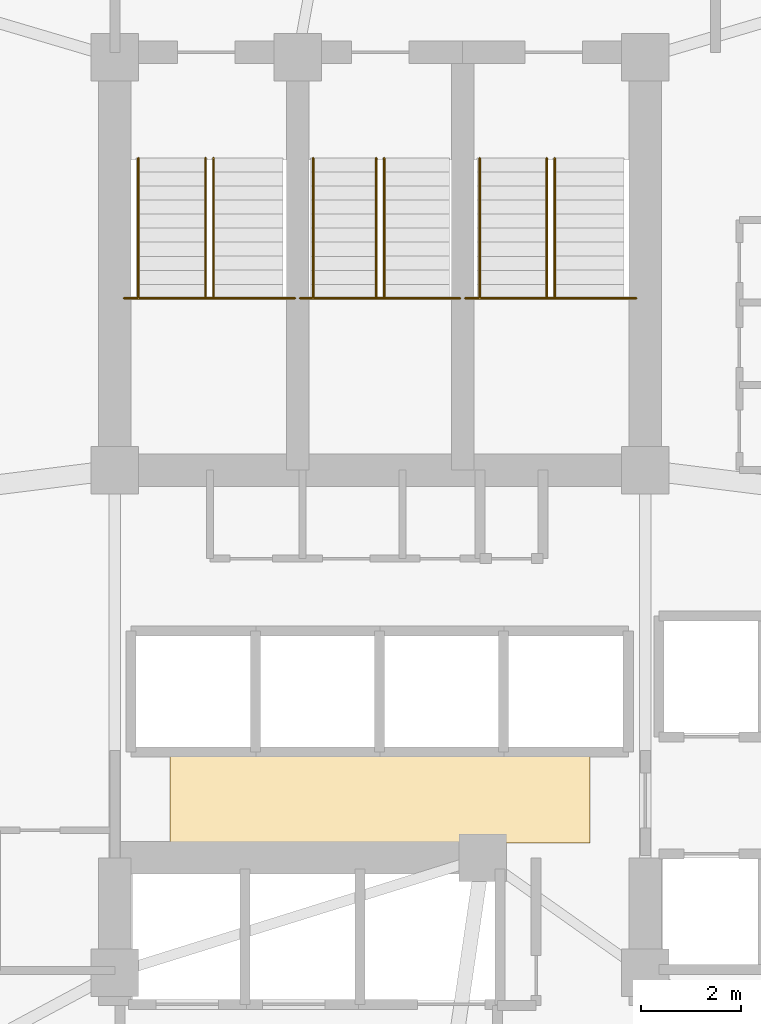
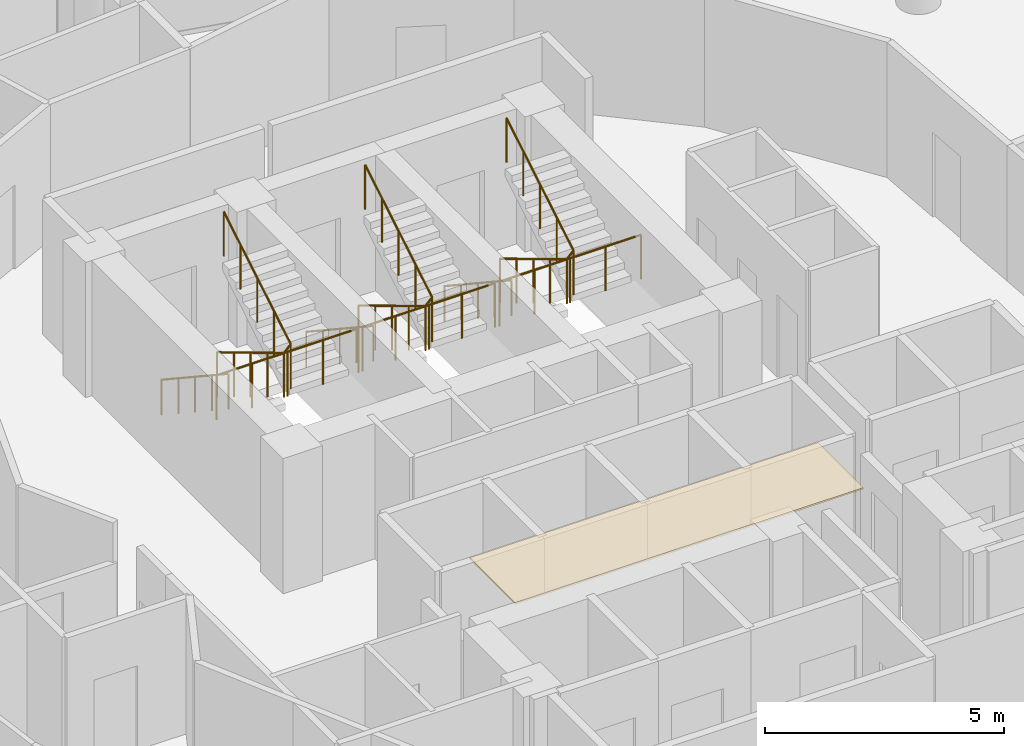
# One storey, part 26 of 26: 9 railings, 1 covering.
"""IFC4 building model written with IfcOpenShell, lengths in metres."""

from ifc_helpers import new_model, si_unit, direction, frame, origin, place, context, subcontext, project, spatial, polyline, outline, extrude, material, layer, layer_set, type_object, element, save


model = new_model("IFC4")

# Units and contexts
model_context = context("Model", 3, precision=1e-05, world=origin(), true_north=direction((0.0, 1.0)))
body_context = subcontext(model_context, "Body", "Model", "MODEL_VIEW")
ifc_project = project(units=[si_unit("LENGTHUNIT", "METRE"), si_unit("AREAUNIT", "SQUARE_METRE"), si_unit("VOLUMEUNIT", "CUBIC_METRE"), si_unit("PLANEANGLEUNIT", "RADIAN"), si_unit("MASSUNIT", "GRAM", prefix="KILO")], contexts=[model_context])

# Site, building, storey
site_placement = place(None, origin())
site = spatial("IfcSite", under=ifc_project, at=site_placement, CompositionType="ELEMENT")
building_placement = place(site_placement, origin())
building = spatial("IfcBuilding", under=site, at=building_placement, Name="Nuhasar Tower", CompositionType="ELEMENT")
storey_placement = place(building_placement, frame((0.0, 0.0, 129.35009765625)))
storey = spatial("IfcBuildingStorey", under=building, at=storey_placement, Name="L30", CompositionType="ELEMENT", Elevation=129.35009765625)

# Covering
ifc_material_1 = material(Name="Mineral Fibre Acoustic", Category="insulation")
ifc_layer = layer(ifc_material_1, 0.0400390625)
ifc_layer_set = layer_set([ifc_layer], Name="Mineral Fibre Acoustic")
covering_type = type_object("IfcCoveringType", Name="COV-CEIL-AC60", PredefinedType="CEILING", material=ifc_layer_set)
covering_placement = place(storey_placement, frame((0.0, 0.0, 3.409912109375)))
element("IfcCovering", 1, at=covering_placement, inside=storey, type_object=covering_type, Name="L30 Lift Lobby Acoustic Ceiling", PredefinedType="CEILING", context=body_context, shape_type="SweptSolid", body=[
    extrude(outline(polyline([(34.800048828125, 21.60009765625), (43.199951171875, 21.60009765625), (43.199951171875, 23.5), (34.800048828125, 23.5), (34.800048828125, 21.60009765625)])), origin(), (0.0, 0.0, 1.0), 0.0400390625),
])

# Railings
ifc_material_2 = material(Name="Steel S355", Category="steel")
railing_type_1 = type_object("IfcRailingType", Name="RLG-STAIR-GUARD-1150", PredefinedType="GUARDRAIL", material=ifc_material_2)
railing_1_placement = place(storey_placement, frame((33.8798828125, 32.485107421875, 1.849853515625)))
element("IfcRailing", 2, at=railing_1_placement, inside=storey, type_object=railing_type_1, Name="L30 Stair ST-01 Guardrail LND", PredefinedType="GUARDRAIL", context=body_context, shape_type="SweptSolid", body=[
    extrude(outline(polyline([(0.024169921875, 0.0), (0.01708984375, 0.01708984375), (0.0, 0.024169921875), (-0.01708984375, 0.01708984375), (-0.024169921875, 0.0), (-0.01708984375, -0.01708984375), (0.0, -0.024169921875), (0.01708984375, -0.01708984375), (0.024169921875, 0.0)])), frame((0.0, 0.0, 1.1259765625), z_axis=(1.0, 0.0, 0.0), x_axis=(0.0, 1.0, 0.0)), (0.0, 0.0, 1.0), 3.420166015625),
    extrude(outline(polyline([(0.02099609375, 0.0), (0.014892578125, 0.014892578125), (0.0, 0.02099609375), (-0.014892578125, 0.014892578125), (-0.02099609375, 0.0), (-0.014892578125, -0.014892578125), (0.0, -0.02099609375), (0.014892578125, -0.014892578125), (0.02099609375, 0.0)])), origin(), (0.0, 0.0, 1.0), 1.101806640625),
    extrude(outline(polyline([(0.02099609375, 0.0), (0.014892578125, 0.014892578125), (0.0, 0.02099609375), (-0.014892578125, 0.014892578125), (-0.02099609375, 0.0), (-0.014892578125, -0.014892578125), (0.0, -0.02099609375), (0.014892578125, -0.014892578125), (0.02099609375, 0.0)])), frame((0.85498046875, 0.0, 0.0)), (0.0, 0.0, 1.0), 1.101806640625),
    extrude(outline(polyline([(0.02099609375, 0.0), (0.014892578125, 0.014892578125), (0.0, 0.02099609375), (-0.014892578125, 0.014892578125), (-0.02099609375, 0.0), (-0.014892578125, -0.014892578125), (0.0, -0.02099609375), (0.014892578125, -0.014892578125), (0.02099609375, 0.0)])), frame((1.7099609375, 0.0, 0.0)), (0.0, 0.0, 1.0), 1.101806640625),
    extrude(outline(polyline([(0.02099609375, 0.0), (0.014892578125, 0.014892578125), (0.0, 0.02099609375), (-0.014892578125, 0.014892578125), (-0.02099609375, 0.0), (-0.014892578125, -0.014892578125), (0.0, -0.02099609375), (0.014892578125, -0.014892578125), (0.02099609375, 0.0)])), frame((2.565185546875, 0.0, 0.0)), (0.0, 0.0, 1.0), 1.101806640625),
    extrude(outline(polyline([(0.02099609375, 0.0), (0.014892578125, 0.014892578125), (0.0, 0.02099609375), (-0.014892578125, 0.014892578125), (-0.02099609375, 0.0), (-0.014892578125, -0.014892578125), (0.0, -0.02099609375), (0.014892578125, -0.014892578125), (0.02099609375, 0.0)])), frame((3.420166015625, 0.0, 0.0)), (0.0, 0.0, 1.0), 1.101806640625),
])
railing_2_placement = place(storey_placement, frame((35.510009765625, 35.284912109375, 0.16796875)))
element("IfcRailing", 3, at=railing_2_placement, inside=storey, type_object=railing_type_1, Name="L30 Stair ST-01 Guardrail SLT", PredefinedType="GUARDRAIL", context=body_context, shape_type="SweptSolid", body=[
    extrude(outline(polyline([(0.024169921875, 0.0), (0.01708984375, 0.01708984375), (0.0, 0.024169921875), (-0.01708984375, 0.01708984375), (-0.024169921875, 0.0), (-0.01708984375, -0.01708984375), (0.0, -0.024169921875), (0.01708984375, -0.01708984375), (0.024169921875, 0.0)])), frame((0.0, 0.0, 1.1259765625), z_axis=(0.0, -0.857222391501, 0.514946377315), x_axis=(1.0, 0.0, 0.0)), (0.0, 0.0, 1.0), 3.26611328125),
    extrude(outline(polyline([(0.024169921875, 0.0), (0.01708984375, 0.01708984375), (0.0, 0.024169921875), (-0.01708984375, 0.01708984375), (-0.024169921875, 0.0), (-0.01708984375, -0.01708984375), (0.0, -0.024169921875), (0.01708984375, -0.01708984375), (0.024169921875, 0.0)])), frame((0.0, -2.7998046875, 2.8076171875), z_axis=(0.689523729023, 0.0, 0.72426309247), x_axis=(0.0, 1.0, 0.0)), (0.0, 0.0, 1.0), 0.23193359375),
    extrude(outline(polyline([(0.024169921875, 0.0), (0.01708984375, 0.01708984375), (0.0, 0.024169921875), (-0.01708984375, 0.01708984375), (-0.024169921875, 0.0), (-0.01708984375, -0.01708984375), (0.0, -0.024169921875), (0.01708984375, -0.01708984375), (0.024169921875, 0.0)])), frame((0.159912109375, -2.7998046875, 2.9755859375), z_axis=(0.0, 0.857189395008, 0.515001302023), x_axis=(-1.0, 0.0, 0.0)), (0.0, 0.0, 1.0), 3.266357421875),
    extrude(outline(polyline([(0.02099609375, 0.0), (0.014892578125, 0.014892578125), (0.0, 0.02099609375), (-0.014892578125, 0.014892578125), (-0.02099609375, 0.0), (-0.014892578125, -0.014892578125), (0.0, -0.02099609375), (0.014892578125, -0.014892578125), (0.02099609375, 0.0)])), origin(), (0.0, 0.0, 1.0), 1.101806640625),
    extrude(outline(polyline([(0.02099609375, 0.0), (0.014892578125, 0.014892578125), (0.0, 0.02099609375), (-0.014892578125, 0.014892578125), (-0.02099609375, 0.0), (-0.014892578125, -0.014892578125), (0.0, -0.02099609375), (0.014892578125, -0.014892578125), (0.02099609375, 0.0)])), frame((0.0, -0.699951171875, 0.42041015625)), (0.0, 0.0, 1.0), 1.101806640625),
    extrude(outline(polyline([(0.02099609375, 0.0), (0.014892578125, 0.014892578125), (0.0, 0.02099609375), (-0.014892578125, 0.014892578125), (-0.02099609375, 0.0), (-0.014892578125, -0.014892578125), (0.0, -0.02099609375), (0.014892578125, -0.014892578125), (0.02099609375, 0.0)])), frame((0.0, -1.39990234375, 0.8408203125)), (0.0, 0.0, 1.0), 1.101806640625),
    extrude(outline(polyline([(0.02099609375, 0.0), (0.014892578125, 0.014892578125), (0.0, 0.02099609375), (-0.014892578125, 0.014892578125), (-0.02099609375, 0.0), (-0.014892578125, -0.014892578125), (0.0, -0.02099609375), (0.014892578125, -0.014892578125), (0.02099609375, 0.0)])), frame((0.0, -2.099853515625, 1.261474609375)), (0.0, 0.0, 1.0), 1.101806640625),
    extrude(outline(polyline([(0.02099609375, 0.0), (0.014892578125, 0.014892578125), (0.0, 0.02099609375), (-0.014892578125, 0.014892578125), (-0.02099609375, 0.0), (-0.014892578125, -0.014892578125), (0.0, -0.02099609375), (0.014892578125, -0.014892578125), (0.02099609375, 0.0)])), frame((0.0, -2.7998046875, 1.681884765625)), (0.0, 0.0, 1.0), 1.101806640625),
    extrude(outline(polyline([(0.02099609375, 0.0), (0.014892578125, 0.014892578125), (0.0, 0.02099609375), (-0.014892578125, 0.014892578125), (-0.02099609375, 0.0), (-0.014892578125, -0.014892578125), (0.0, -0.02099609375), (0.014892578125, -0.014892578125), (0.02099609375, 0.0)])), frame((0.159912109375, -2.7998046875, 1.849853515625)), (0.0, 0.0, 1.0), 1.101806640625),
    extrude(outline(polyline([(0.02099609375, 0.0), (0.014892578125, 0.014892578125), (0.0, 0.02099609375), (-0.014892578125, 0.014892578125), (-0.02099609375, 0.0), (-0.014892578125, -0.014892578125), (0.0, -0.02099609375), (0.014892578125, -0.014892578125), (0.02099609375, 0.0)])), frame((0.159912109375, -2.099853515625, 2.2705078125)), (0.0, 0.0, 1.0), 1.101806640625),
    extrude(outline(polyline([(0.02099609375, 0.0), (0.014892578125, 0.014892578125), (0.0, 0.02099609375), (-0.014892578125, 0.014892578125), (-0.02099609375, 0.0), (-0.014892578125, -0.014892578125), (0.0, -0.02099609375), (0.014892578125, -0.014892578125), (0.02099609375, 0.0)])), frame((0.159912109375, -1.39990234375, 2.69091796875)), (0.0, 0.0, 1.0), 1.101806640625),
    extrude(outline(polyline([(0.02099609375, 0.0), (0.014892578125, 0.014892578125), (0.0, 0.02099609375), (-0.014892578125, 0.014892578125), (-0.02099609375, 0.0), (-0.014892578125, -0.014892578125), (0.0, -0.02099609375), (0.014892578125, -0.014892578125), (0.02099609375, 0.0)])), frame((0.159912109375, -0.699951171875, 3.111328125)), (0.0, 0.0, 1.0), 1.101806640625),
    extrude(outline(polyline([(0.02099609375, 0.0), (0.014892578125, 0.014892578125), (0.0, 0.02099609375), (-0.014892578125, 0.014892578125), (-0.02099609375, 0.0), (-0.014892578125, -0.014892578125), (0.0, -0.02099609375), (0.014892578125, -0.014892578125), (0.02099609375, 0.0)])), frame((0.159912109375, 0.0, 3.531982421875)), (0.0, 0.0, 1.0), 1.101806640625),
])
railing_3_placement = place(storey_placement, frame((37.39990234375, 32.485107421875, 1.849853515625)))
element("IfcRailing", 4, at=railing_3_placement, inside=storey, type_object=railing_type_1, Name="L30 Stair ST-03 Guardrail LND", PredefinedType="GUARDRAIL", context=body_context, shape_type="SweptSolid", body=[
    extrude(outline(polyline([(0.024169921875, 0.0), (0.01708984375, 0.01708984375), (0.0, 0.024169921875), (-0.01708984375, 0.01708984375), (-0.024169921875, 0.0), (-0.01708984375, -0.01708984375), (0.0, -0.024169921875), (0.01708984375, -0.01708984375), (0.024169921875, 0.0)])), frame((0.0, 0.0, 1.1259765625), z_axis=(1.0, 0.0, 0.0), x_axis=(0.0, 1.0, 0.0)), (0.0, 0.0, 1.0), 3.2001953125),
    extrude(outline(polyline([(0.02099609375, 0.0), (0.014892578125, 0.014892578125), (0.0, 0.02099609375), (-0.014892578125, 0.014892578125), (-0.02099609375, 0.0), (-0.014892578125, -0.014892578125), (0.0, -0.02099609375), (0.014892578125, -0.014892578125), (0.02099609375, 0.0)])), origin(), (0.0, 0.0, 1.0), 1.101806640625),
    extrude(outline(polyline([(0.02099609375, 0.0), (0.014892578125, 0.014892578125), (0.0, 0.02099609375), (-0.014892578125, 0.014892578125), (-0.02099609375, 0.0), (-0.014892578125, -0.014892578125), (0.0, -0.02099609375), (0.014892578125, -0.014892578125), (0.02099609375, 0.0)])), frame((0.800048828125, 0.0, 0.0)), (0.0, 0.0, 1.0), 1.101806640625),
    extrude(outline(polyline([(0.02099609375, 0.0), (0.014892578125, 0.014892578125), (0.0, 0.02099609375), (-0.014892578125, 0.014892578125), (-0.02099609375, 0.0), (-0.014892578125, -0.014892578125), (0.0, -0.02099609375), (0.014892578125, -0.014892578125), (0.02099609375, 0.0)])), frame((1.60009765625, 0.0, 0.0)), (0.0, 0.0, 1.0), 1.101806640625),
    extrude(outline(polyline([(0.02099609375, 0.0), (0.014892578125, 0.014892578125), (0.0, 0.02099609375), (-0.014892578125, 0.014892578125), (-0.02099609375, 0.0), (-0.014892578125, -0.014892578125), (0.0, -0.02099609375), (0.014892578125, -0.014892578125), (0.02099609375, 0.0)])), frame((2.400146484375, 0.0, 0.0)), (0.0, 0.0, 1.0), 1.101806640625),
    extrude(outline(polyline([(0.02099609375, 0.0), (0.014892578125, 0.014892578125), (0.0, 0.02099609375), (-0.014892578125, 0.014892578125), (-0.02099609375, 0.0), (-0.014892578125, -0.014892578125), (0.0, -0.02099609375), (0.014892578125, -0.014892578125), (0.02099609375, 0.0)])), frame((3.2001953125, 0.0, 0.0)), (0.0, 0.0, 1.0), 1.101806640625),
])
railing_4_placement = place(storey_placement, frame((38.919921875, 35.284912109375, 0.16796875)))
element("IfcRailing", 5, at=railing_4_placement, inside=storey, type_object=railing_type_1, Name="L30 Stair ST-03 Guardrail SLT", PredefinedType="GUARDRAIL", context=body_context, shape_type="SweptSolid", body=[
    extrude(outline(polyline([(0.024169921875, 0.0), (0.01708984375, 0.01708984375), (0.0, 0.024169921875), (-0.01708984375, 0.01708984375), (-0.024169921875, 0.0), (-0.01708984375, -0.01708984375), (0.0, -0.024169921875), (0.01708984375, -0.01708984375), (0.024169921875, 0.0)])), frame((0.0, 0.0, 1.1259765625), z_axis=(0.0, -0.857222391501, 0.514946377315), x_axis=(1.0, 0.0, 0.0)), (0.0, 0.0, 1.0), 3.26611328125),
    extrude(outline(polyline([(0.024169921875, 0.0), (0.01708984375, 0.01708984375), (0.0, 0.024169921875), (-0.01708984375, 0.01708984375), (-0.024169921875, 0.0), (-0.01708984375, -0.01708984375), (0.0, -0.024169921875), (0.01708984375, -0.01708984375), (0.024169921875, 0.0)])), frame((0.0, -2.7998046875, 2.8076171875), z_axis=(0.690075333573, 0.0, 0.723737544967), x_axis=(0.0, 1.0, 0.0)), (0.0, 0.0, 1.0), 0.232177734375),
    extrude(outline(polyline([(0.024169921875, 0.0), (0.01708984375, 0.01708984375), (0.0, 0.024169921875), (-0.01708984375, 0.01708984375), (-0.024169921875, 0.0), (-0.01708984375, -0.01708984375), (0.0, -0.024169921875), (0.01708984375, -0.01708984375), (0.024169921875, 0.0)])), frame((0.16015625, -2.7998046875, 2.9755859375), z_axis=(0.0, 0.857189395008, 0.515001302023), x_axis=(-1.0, 0.0, 0.0)), (0.0, 0.0, 1.0), 3.266357421875),
    extrude(outline(polyline([(0.02099609375, 0.0), (0.014892578125, 0.014892578125), (0.0, 0.02099609375), (-0.014892578125, 0.014892578125), (-0.02099609375, 0.0), (-0.014892578125, -0.014892578125), (0.0, -0.02099609375), (0.014892578125, -0.014892578125), (0.02099609375, 0.0)])), origin(), (0.0, 0.0, 1.0), 1.101806640625),
    extrude(outline(polyline([(0.02099609375, 0.0), (0.014892578125, 0.014892578125), (0.0, 0.02099609375), (-0.014892578125, 0.014892578125), (-0.02099609375, 0.0), (-0.014892578125, -0.014892578125), (0.0, -0.02099609375), (0.014892578125, -0.014892578125), (0.02099609375, 0.0)])), frame((0.0, -0.699951171875, 0.42041015625)), (0.0, 0.0, 1.0), 1.101806640625),
    extrude(outline(polyline([(0.02099609375, 0.0), (0.014892578125, 0.014892578125), (0.0, 0.02099609375), (-0.014892578125, 0.014892578125), (-0.02099609375, 0.0), (-0.014892578125, -0.014892578125), (0.0, -0.02099609375), (0.014892578125, -0.014892578125), (0.02099609375, 0.0)])), frame((0.0, -1.39990234375, 0.8408203125)), (0.0, 0.0, 1.0), 1.101806640625),
    extrude(outline(polyline([(0.02099609375, 0.0), (0.014892578125, 0.014892578125), (0.0, 0.02099609375), (-0.014892578125, 0.014892578125), (-0.02099609375, 0.0), (-0.014892578125, -0.014892578125), (0.0, -0.02099609375), (0.014892578125, -0.014892578125), (0.02099609375, 0.0)])), frame((0.0, -2.099853515625, 1.261474609375)), (0.0, 0.0, 1.0), 1.101806640625),
    extrude(outline(polyline([(0.02099609375, 0.0), (0.014892578125, 0.014892578125), (0.0, 0.02099609375), (-0.014892578125, 0.014892578125), (-0.02099609375, 0.0), (-0.014892578125, -0.014892578125), (0.0, -0.02099609375), (0.014892578125, -0.014892578125), (0.02099609375, 0.0)])), frame((0.0, -2.7998046875, 1.681884765625)), (0.0, 0.0, 1.0), 1.101806640625),
    extrude(outline(polyline([(0.02099609375, 0.0), (0.014892578125, 0.014892578125), (0.0, 0.02099609375), (-0.014892578125, 0.014892578125), (-0.02099609375, 0.0), (-0.014892578125, -0.014892578125), (0.0, -0.02099609375), (0.014892578125, -0.014892578125), (0.02099609375, 0.0)])), frame((0.16015625, -2.7998046875, 1.849853515625)), (0.0, 0.0, 1.0), 1.101806640625),
    extrude(outline(polyline([(0.02099609375, 0.0), (0.014892578125, 0.014892578125), (0.0, 0.02099609375), (-0.014892578125, 0.014892578125), (-0.02099609375, 0.0), (-0.014892578125, -0.014892578125), (0.0, -0.02099609375), (0.014892578125, -0.014892578125), (0.02099609375, 0.0)])), frame((0.16015625, -2.099853515625, 2.2705078125)), (0.0, 0.0, 1.0), 1.101806640625),
    extrude(outline(polyline([(0.02099609375, 0.0), (0.014892578125, 0.014892578125), (0.0, 0.02099609375), (-0.014892578125, 0.014892578125), (-0.02099609375, 0.0), (-0.014892578125, -0.014892578125), (0.0, -0.02099609375), (0.014892578125, -0.014892578125), (0.02099609375, 0.0)])), frame((0.16015625, -1.39990234375, 2.69091796875)), (0.0, 0.0, 1.0), 1.101806640625),
    extrude(outline(polyline([(0.02099609375, 0.0), (0.014892578125, 0.014892578125), (0.0, 0.02099609375), (-0.014892578125, 0.014892578125), (-0.02099609375, 0.0), (-0.014892578125, -0.014892578125), (0.0, -0.02099609375), (0.014892578125, -0.014892578125), (0.02099609375, 0.0)])), frame((0.16015625, -0.699951171875, 3.111328125)), (0.0, 0.0, 1.0), 1.101806640625),
    extrude(outline(polyline([(0.02099609375, 0.0), (0.014892578125, 0.014892578125), (0.0, 0.02099609375), (-0.014892578125, 0.014892578125), (-0.02099609375, 0.0), (-0.014892578125, -0.014892578125), (0.0, -0.02099609375), (0.014892578125, -0.014892578125), (0.02099609375, 0.0)])), frame((0.16015625, 0.0, 3.531982421875)), (0.0, 0.0, 1.0), 1.101806640625),
])
railing_5_placement = place(storey_placement, frame((40.699951171875, 32.485107421875, 1.849853515625)))
element("IfcRailing", 6, at=railing_5_placement, inside=storey, type_object=railing_type_1, Name="L30 Stair ST-02 Guardrail LND", PredefinedType="GUARDRAIL", context=body_context, shape_type="SweptSolid", body=[
    extrude(outline(polyline([(0.024169921875, 0.0), (0.01708984375, 0.01708984375), (0.0, 0.024169921875), (-0.01708984375, 0.01708984375), (-0.024169921875, 0.0), (-0.01708984375, -0.01708984375), (0.0, -0.024169921875), (0.01708984375, -0.01708984375), (0.024169921875, 0.0)])), frame((0.0, 0.0, 1.1259765625), z_axis=(1.0, 0.0, 0.0), x_axis=(0.0, 1.0, 0.0)), (0.0, 0.0, 1.0), 3.420166015625),
    extrude(outline(polyline([(0.02099609375, 0.0), (0.014892578125, 0.014892578125), (0.0, 0.02099609375), (-0.014892578125, 0.014892578125), (-0.02099609375, 0.0), (-0.014892578125, -0.014892578125), (0.0, -0.02099609375), (0.014892578125, -0.014892578125), (0.02099609375, 0.0)])), origin(), (0.0, 0.0, 1.0), 1.101806640625),
    extrude(outline(polyline([(0.02099609375, 0.0), (0.014892578125, 0.014892578125), (0.0, 0.02099609375), (-0.014892578125, 0.014892578125), (-0.02099609375, 0.0), (-0.014892578125, -0.014892578125), (0.0, -0.02099609375), (0.014892578125, -0.014892578125), (0.02099609375, 0.0)])), frame((0.85498046875, 0.0, 0.0)), (0.0, 0.0, 1.0), 1.101806640625),
    extrude(outline(polyline([(0.02099609375, 0.0), (0.014892578125, 0.014892578125), (0.0, 0.02099609375), (-0.014892578125, 0.014892578125), (-0.02099609375, 0.0), (-0.014892578125, -0.014892578125), (0.0, -0.02099609375), (0.014892578125, -0.014892578125), (0.02099609375, 0.0)])), frame((1.7099609375, 0.0, 0.0)), (0.0, 0.0, 1.0), 1.101806640625),
    extrude(outline(polyline([(0.02099609375, 0.0), (0.014892578125, 0.014892578125), (0.0, 0.02099609375), (-0.014892578125, 0.014892578125), (-0.02099609375, 0.0), (-0.014892578125, -0.014892578125), (0.0, -0.02099609375), (0.014892578125, -0.014892578125), (0.02099609375, 0.0)])), frame((2.565185546875, 0.0, 0.0)), (0.0, 0.0, 1.0), 1.101806640625),
    extrude(outline(polyline([(0.02099609375, 0.0), (0.014892578125, 0.014892578125), (0.0, 0.02099609375), (-0.014892578125, 0.014892578125), (-0.02099609375, 0.0), (-0.014892578125, -0.014892578125), (0.0, -0.02099609375), (0.014892578125, -0.014892578125), (0.02099609375, 0.0)])), frame((3.420166015625, 0.0, 0.0)), (0.0, 0.0, 1.0), 1.101806640625),
])
railing_6_placement = place(storey_placement, frame((42.330078125, 35.284912109375, 0.16796875)))
element("IfcRailing", 7, at=railing_6_placement, inside=storey, type_object=railing_type_1, Name="L30 Stair ST-02 Guardrail SLT", PredefinedType="GUARDRAIL", context=body_context, shape_type="SweptSolid", body=[
    extrude(outline(polyline([(0.024169921875, 0.0), (0.01708984375, 0.01708984375), (0.0, 0.024169921875), (-0.01708984375, 0.01708984375), (-0.024169921875, 0.0), (-0.01708984375, -0.01708984375), (0.0, -0.024169921875), (0.01708984375, -0.01708984375), (0.024169921875, 0.0)])), frame((0.0, 0.0, 1.1259765625), z_axis=(0.0, -0.857222391501, 0.514946377315), x_axis=(1.0, 0.0, 0.0)), (0.0, 0.0, 1.0), 3.26611328125),
    extrude(outline(polyline([(0.024169921875, 0.0), (0.01708984375, 0.01708984375), (0.0, 0.024169921875), (-0.01708984375, 0.01708984375), (-0.024169921875, 0.0), (-0.01708984375, -0.01708984375), (0.0, -0.024169921875), (0.01708984375, -0.01708984375), (0.024169921875, 0.0)])), frame((0.0, -2.7998046875, 2.8076171875), z_axis=(0.689523729023, 0.0, 0.72426309247), x_axis=(0.0, 1.0, 0.0)), (0.0, 0.0, 1.0), 0.23193359375),
    extrude(outline(polyline([(0.024169921875, 0.0), (0.01708984375, 0.01708984375), (0.0, 0.024169921875), (-0.01708984375, 0.01708984375), (-0.024169921875, 0.0), (-0.01708984375, -0.01708984375), (0.0, -0.024169921875), (0.01708984375, -0.01708984375), (0.024169921875, 0.0)])), frame((0.159912109375, -2.7998046875, 2.9755859375), z_axis=(0.0, 0.857189395008, 0.515001302023), x_axis=(-1.0, 0.0, 0.0)), (0.0, 0.0, 1.0), 3.266357421875),
    extrude(outline(polyline([(0.02099609375, 0.0), (0.014892578125, 0.014892578125), (0.0, 0.02099609375), (-0.014892578125, 0.014892578125), (-0.02099609375, 0.0), (-0.014892578125, -0.014892578125), (0.0, -0.02099609375), (0.014892578125, -0.014892578125), (0.02099609375, 0.0)])), origin(), (0.0, 0.0, 1.0), 1.101806640625),
    extrude(outline(polyline([(0.02099609375, 0.0), (0.014892578125, 0.014892578125), (0.0, 0.02099609375), (-0.014892578125, 0.014892578125), (-0.02099609375, 0.0), (-0.014892578125, -0.014892578125), (0.0, -0.02099609375), (0.014892578125, -0.014892578125), (0.02099609375, 0.0)])), frame((0.0, -0.699951171875, 0.42041015625)), (0.0, 0.0, 1.0), 1.101806640625),
    extrude(outline(polyline([(0.02099609375, 0.0), (0.014892578125, 0.014892578125), (0.0, 0.02099609375), (-0.014892578125, 0.014892578125), (-0.02099609375, 0.0), (-0.014892578125, -0.014892578125), (0.0, -0.02099609375), (0.014892578125, -0.014892578125), (0.02099609375, 0.0)])), frame((0.0, -1.39990234375, 0.8408203125)), (0.0, 0.0, 1.0), 1.101806640625),
    extrude(outline(polyline([(0.02099609375, 0.0), (0.014892578125, 0.014892578125), (0.0, 0.02099609375), (-0.014892578125, 0.014892578125), (-0.02099609375, 0.0), (-0.014892578125, -0.014892578125), (0.0, -0.02099609375), (0.014892578125, -0.014892578125), (0.02099609375, 0.0)])), frame((0.0, -2.099853515625, 1.261474609375)), (0.0, 0.0, 1.0), 1.101806640625),
    extrude(outline(polyline([(0.02099609375, 0.0), (0.014892578125, 0.014892578125), (0.0, 0.02099609375), (-0.014892578125, 0.014892578125), (-0.02099609375, 0.0), (-0.014892578125, -0.014892578125), (0.0, -0.02099609375), (0.014892578125, -0.014892578125), (0.02099609375, 0.0)])), frame((0.0, -2.7998046875, 1.681884765625)), (0.0, 0.0, 1.0), 1.101806640625),
    extrude(outline(polyline([(0.02099609375, 0.0), (0.014892578125, 0.014892578125), (0.0, 0.02099609375), (-0.014892578125, 0.014892578125), (-0.02099609375, 0.0), (-0.014892578125, -0.014892578125), (0.0, -0.02099609375), (0.014892578125, -0.014892578125), (0.02099609375, 0.0)])), frame((0.159912109375, -2.7998046875, 1.849853515625)), (0.0, 0.0, 1.0), 1.101806640625),
    extrude(outline(polyline([(0.02099609375, 0.0), (0.014892578125, 0.014892578125), (0.0, 0.02099609375), (-0.014892578125, 0.014892578125), (-0.02099609375, 0.0), (-0.014892578125, -0.014892578125), (0.0, -0.02099609375), (0.014892578125, -0.014892578125), (0.02099609375, 0.0)])), frame((0.159912109375, -2.099853515625, 2.2705078125)), (0.0, 0.0, 1.0), 1.101806640625),
    extrude(outline(polyline([(0.02099609375, 0.0), (0.014892578125, 0.014892578125), (0.0, 0.02099609375), (-0.014892578125, 0.014892578125), (-0.02099609375, 0.0), (-0.014892578125, -0.014892578125), (0.0, -0.02099609375), (0.014892578125, -0.014892578125), (0.02099609375, 0.0)])), frame((0.159912109375, -1.39990234375, 2.69091796875)), (0.0, 0.0, 1.0), 1.101806640625),
    extrude(outline(polyline([(0.02099609375, 0.0), (0.014892578125, 0.014892578125), (0.0, 0.02099609375), (-0.014892578125, 0.014892578125), (-0.02099609375, 0.0), (-0.014892578125, -0.014892578125), (0.0, -0.02099609375), (0.014892578125, -0.014892578125), (0.02099609375, 0.0)])), frame((0.159912109375, -0.699951171875, 3.111328125)), (0.0, 0.0, 1.0), 1.101806640625),
    extrude(outline(polyline([(0.02099609375, 0.0), (0.014892578125, 0.014892578125), (0.0, 0.02099609375), (-0.014892578125, 0.014892578125), (-0.02099609375, 0.0), (-0.014892578125, -0.014892578125), (0.0, -0.02099609375), (0.014892578125, -0.014892578125), (0.02099609375, 0.0)])), frame((0.159912109375, 0.0, 3.531982421875)), (0.0, 0.0, 1.0), 1.101806640625),
])
ifc_material_3 = material(Name="Stainless Steel 316L", Category="steel")
railing_type_2 = type_object("IfcRailingType", Name="RLG-STAIR-HAND-920", PredefinedType="HANDRAIL", material=ifc_material_3)
railing_7_placement = place(storey_placement, frame((34.169921875, 35.284912109375, 0.16796875)))
element("IfcRailing", 8, at=railing_7_placement, inside=storey, type_object=railing_type_2, Name="L30 Stair ST-01 Handrail HND1", PredefinedType="HANDRAIL", context=body_context, shape_type="SweptSolid", body=[
    extrude(outline(polyline([(0.024169921875, 0.0), (0.01708984375, 0.01708984375), (0.0, 0.024169921875), (-0.01708984375, 0.01708984375), (-0.024169921875, 0.0), (-0.01708984375, -0.01708984375), (0.0, -0.024169921875), (0.01708984375, -0.01708984375), (0.024169921875, 0.0)])), frame((0.0, 0.0, 0.89599609375), z_axis=(0.0, -0.834337710781, 0.551253647941), x_axis=(1.0, 0.0, 0.0)), (0.0, 0.0, 1.0), 3.355712890625),
    extrude(outline(polyline([(0.02099609375, 0.0), (0.014892578125, 0.014892578125), (0.0, 0.02099609375), (-0.014892578125, 0.014892578125), (-0.02099609375, 0.0), (-0.014892578125, -0.014892578125), (0.0, -0.02099609375), (0.014892578125, -0.014892578125), (0.02099609375, 0.0)])), origin(), (0.0, 0.0, 1.0), 0.871826171875),
    extrude(outline(polyline([(0.02099609375, 0.0), (0.014892578125, 0.014892578125), (0.0, 0.02099609375), (-0.014892578125, 0.014892578125), (-0.02099609375, 0.0), (-0.014892578125, -0.014892578125), (0.0, -0.02099609375), (0.014892578125, -0.014892578125), (0.02099609375, 0.0)])), frame((0.0, -0.699951171875, 0.46240234375)), (0.0, 0.0, 1.0), 0.871826171875),
    extrude(outline(polyline([(0.02099609375, 0.0), (0.014892578125, 0.014892578125), (0.0, 0.02099609375), (-0.014892578125, 0.014892578125), (-0.02099609375, 0.0), (-0.014892578125, -0.014892578125), (0.0, -0.02099609375), (0.014892578125, -0.014892578125), (0.02099609375, 0.0)])), frame((0.0, -1.39990234375, 0.9248046875)), (0.0, 0.0, 1.0), 0.871826171875),
    extrude(outline(polyline([(0.02099609375, 0.0), (0.014892578125, 0.014892578125), (0.0, 0.02099609375), (-0.014892578125, 0.014892578125), (-0.02099609375, 0.0), (-0.014892578125, -0.014892578125), (0.0, -0.02099609375), (0.014892578125, -0.014892578125), (0.02099609375, 0.0)])), frame((0.0, -2.099853515625, 1.387451171875)), (0.0, 0.0, 1.0), 0.871826171875),
    extrude(outline(polyline([(0.02099609375, 0.0), (0.014892578125, 0.014892578125), (0.0, 0.02099609375), (-0.014892578125, 0.014892578125), (-0.02099609375, 0.0), (-0.014892578125, -0.014892578125), (0.0, -0.02099609375), (0.014892578125, -0.014892578125), (0.02099609375, 0.0)])), frame((0.0, -2.7998046875, 1.849853515625)), (0.0, 0.0, 1.0), 0.871826171875),
])
railing_8_placement = place(storey_placement, frame((37.659912109375, 35.284912109375, 0.16796875)))
element("IfcRailing", 9, at=railing_8_placement, inside=storey, type_object=railing_type_2, Name="L30 Stair ST-03 Handrail HND1", PredefinedType="HANDRAIL", context=body_context, shape_type="SweptSolid", body=[
    extrude(outline(polyline([(0.024169921875, 0.0), (0.01708984375, 0.01708984375), (0.0, 0.024169921875), (-0.01708984375, 0.01708984375), (-0.024169921875, 0.0), (-0.01708984375, -0.01708984375), (0.0, -0.024169921875), (0.01708984375, -0.01708984375), (0.024169921875, 0.0)])), frame((0.0, 0.0, 0.89599609375), z_axis=(0.0, -0.834337710781, 0.551253647941), x_axis=(1.0, 0.0, 0.0)), (0.0, 0.0, 1.0), 3.355712890625),
    extrude(outline(polyline([(0.02099609375, 0.0), (0.014892578125, 0.014892578125), (0.0, 0.02099609375), (-0.014892578125, 0.014892578125), (-0.02099609375, 0.0), (-0.014892578125, -0.014892578125), (0.0, -0.02099609375), (0.014892578125, -0.014892578125), (0.02099609375, 0.0)])), origin(), (0.0, 0.0, 1.0), 0.871826171875),
    extrude(outline(polyline([(0.02099609375, 0.0), (0.014892578125, 0.014892578125), (0.0, 0.02099609375), (-0.014892578125, 0.014892578125), (-0.02099609375, 0.0), (-0.014892578125, -0.014892578125), (0.0, -0.02099609375), (0.014892578125, -0.014892578125), (0.02099609375, 0.0)])), frame((0.0, -0.699951171875, 0.46240234375)), (0.0, 0.0, 1.0), 0.871826171875),
    extrude(outline(polyline([(0.02099609375, 0.0), (0.014892578125, 0.014892578125), (0.0, 0.02099609375), (-0.014892578125, 0.014892578125), (-0.02099609375, 0.0), (-0.014892578125, -0.014892578125), (0.0, -0.02099609375), (0.014892578125, -0.014892578125), (0.02099609375, 0.0)])), frame((0.0, -1.39990234375, 0.9248046875)), (0.0, 0.0, 1.0), 0.871826171875),
    extrude(outline(polyline([(0.02099609375, 0.0), (0.014892578125, 0.014892578125), (0.0, 0.02099609375), (-0.014892578125, 0.014892578125), (-0.02099609375, 0.0), (-0.014892578125, -0.014892578125), (0.0, -0.02099609375), (0.014892578125, -0.014892578125), (0.02099609375, 0.0)])), frame((0.0, -2.099853515625, 1.387451171875)), (0.0, 0.0, 1.0), 0.871826171875),
    extrude(outline(polyline([(0.02099609375, 0.0), (0.014892578125, 0.014892578125), (0.0, 0.02099609375), (-0.014892578125, 0.014892578125), (-0.02099609375, 0.0), (-0.014892578125, -0.014892578125), (0.0, -0.02099609375), (0.014892578125, -0.014892578125), (0.02099609375, 0.0)])), frame((0.0, -2.7998046875, 1.849853515625)), (0.0, 0.0, 1.0), 0.871826171875),
])
railing_9_placement = place(storey_placement, frame((40.989990234375, 35.284912109375, 0.16796875)))
element("IfcRailing", 10, at=railing_9_placement, inside=storey, type_object=railing_type_2, Name="L30 Stair ST-02 Handrail HND1", PredefinedType="HANDRAIL", context=body_context, shape_type="SweptSolid", body=[
    extrude(outline(polyline([(0.024169921875, 0.0), (0.01708984375, 0.01708984375), (0.0, 0.024169921875), (-0.01708984375, 0.01708984375), (-0.024169921875, 0.0), (-0.01708984375, -0.01708984375), (0.0, -0.024169921875), (0.01708984375, -0.01708984375), (0.024169921875, 0.0)])), frame((0.0, 0.0, 0.89599609375), z_axis=(0.0, -0.834337710781, 0.551253647941), x_axis=(1.0, 0.0, 0.0)), (0.0, 0.0, 1.0), 3.355712890625),
    extrude(outline(polyline([(0.02099609375, 0.0), (0.014892578125, 0.014892578125), (0.0, 0.02099609375), (-0.014892578125, 0.014892578125), (-0.02099609375, 0.0), (-0.014892578125, -0.014892578125), (0.0, -0.02099609375), (0.014892578125, -0.014892578125), (0.02099609375, 0.0)])), origin(), (0.0, 0.0, 1.0), 0.871826171875),
    extrude(outline(polyline([(0.02099609375, 0.0), (0.014892578125, 0.014892578125), (0.0, 0.02099609375), (-0.014892578125, 0.014892578125), (-0.02099609375, 0.0), (-0.014892578125, -0.014892578125), (0.0, -0.02099609375), (0.014892578125, -0.014892578125), (0.02099609375, 0.0)])), frame((0.0, -0.699951171875, 0.46240234375)), (0.0, 0.0, 1.0), 0.871826171875),
    extrude(outline(polyline([(0.02099609375, 0.0), (0.014892578125, 0.014892578125), (0.0, 0.02099609375), (-0.014892578125, 0.014892578125), (-0.02099609375, 0.0), (-0.014892578125, -0.014892578125), (0.0, -0.02099609375), (0.014892578125, -0.014892578125), (0.02099609375, 0.0)])), frame((0.0, -1.39990234375, 0.9248046875)), (0.0, 0.0, 1.0), 0.871826171875),
    extrude(outline(polyline([(0.02099609375, 0.0), (0.014892578125, 0.014892578125), (0.0, 0.02099609375), (-0.014892578125, 0.014892578125), (-0.02099609375, 0.0), (-0.014892578125, -0.014892578125), (0.0, -0.02099609375), (0.014892578125, -0.014892578125), (0.02099609375, 0.0)])), frame((0.0, -2.099853515625, 1.387451171875)), (0.0, 0.0, 1.0), 0.871826171875),
    extrude(outline(polyline([(0.02099609375, 0.0), (0.014892578125, 0.014892578125), (0.0, 0.02099609375), (-0.014892578125, 0.014892578125), (-0.02099609375, 0.0), (-0.014892578125, -0.014892578125), (0.0, -0.02099609375), (0.014892578125, -0.014892578125), (0.02099609375, 0.0)])), frame((0.0, -2.7998046875, 1.849853515625)), (0.0, 0.0, 1.0), 0.871826171875),
])

save(model, "model.ifc")
